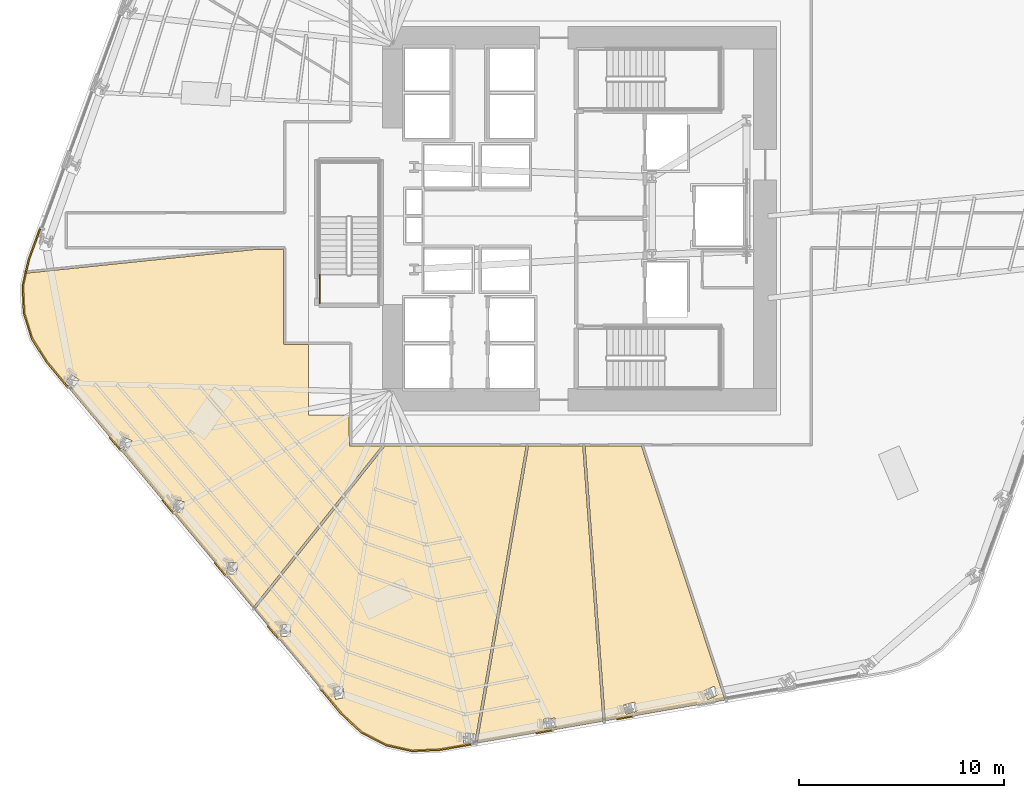
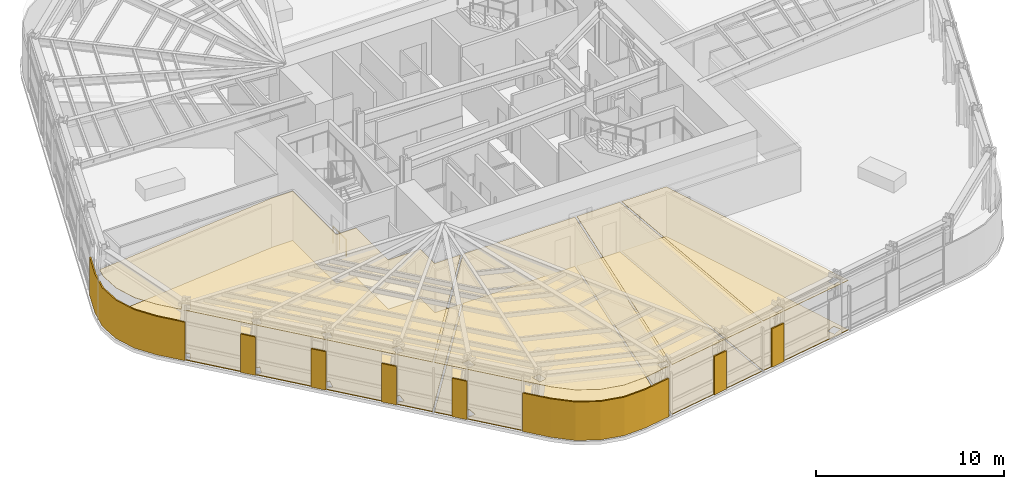
# One storey, part 10 of 16: 16 coverings, 1 railing.
"""IFC4 building model written with IfcOpenShell, lengths in metres."""

import ifcopenshell
import ifcopenshell.guid

model = None  # the IFC model being written
_history = None  # IfcOwnerHistory: only IFC2X3 demands one
_inside = {}  # id of a spatial element -> (the spatial element, [elements in it])
_under = {}  # id of a project, library or spatial element -> (it, [spatial elements below it])
_declared = {}  # id of a project -> (the project, [libraries it declares])
_typed = {}  # id of a type object -> (the type object, [elements of that type])
_made_of = {}  # id of a material, layer set ... -> (it, [elements and type objects made of it])


def new_model(schema):
    """Start an empty IFC model of exactly this schema.

    Asked for "IFC4X3", IfcOpenShell would pick the latest addendum, in which some entities
    have other attributes; the version numbers below select the first issue.
    IFC2X3 requires an IfcOwnerHistory on every rooted entity: one is made here for all.
    """
    global model, _history
    if schema == "IFC4X3":
        model = ifcopenshell.file(schema_version=(4, 3, 0, 0))
    else:
        model = ifcopenshell.file(schema=schema)
    _inside.clear()
    _under.clear()
    _declared.clear()
    _typed.clear()
    _made_of.clear()
    _history = None
    if model.schema == "IFC2X3":
        org = make("IfcOrganization", Name="unknown")
        user = make(
            "IfcPersonAndOrganization",
            ThePerson=make("IfcPerson", FamilyName="unknown"),
            TheOrganization=org,
        )
        app = make(
            "IfcApplication",
            ApplicationDeveloper=org,
            Version="unknown",
            ApplicationFullName="unknown",
            ApplicationIdentifier="unknown",
        )
        _history = make(
            "IfcOwnerHistory",
            OwningUser=user,
            OwningApplication=app,
            ChangeAction="ADDED",
            CreationDate=0,
        )
    return model


def make(cls, **values):
    """One entity of the class cls with the attributes given. An attribute that is None is left unset."""
    return model.create_entity(
        cls, **{name: value for name, value in values.items() if value is not None}
    )


def rooted(cls, **values):
    """An entity with a GlobalId (a new one), such as an element, a storey or a relation."""
    return make(cls, GlobalId=ifcopenshell.guid.new(), OwnerHistory=_history, **values)


def si_unit(unit_type, name, prefix=None):
    """IfcSIUnit, for example si_unit("LENGTHUNIT", "METRE", prefix="MILLI")."""
    return make("IfcSIUnit", UnitType=unit_type, Prefix=prefix, Name=name)


def assignment(units):
    """IfcUnitAssignment: the units of a project."""
    return None if units is None else make("IfcUnitAssignment", Units=units)


def point(xyz):
    """IfcCartesianPoint."""
    return None if xyz is None else make("IfcCartesianPoint", Coordinates=xyz)


def direction(xyz):
    """IfcDirection."""
    return None if xyz is None else make("IfcDirection", DirectionRatios=xyz)


def frame(location, z_axis=None, x_axis=None):
    """IfcAxis2Placement3D, a coordinate frame: its origin and axes. An axis left out is left unset."""
    return make(
        "IfcAxis2Placement3D",
        Location=point(location),
        Axis=direction(z_axis),
        RefDirection=direction(x_axis),
    )


def frame_2d(location, x_axis=None):
    """IfcAxis2Placement2D, a coordinate frame in the plane: its origin and x axis."""
    return make(
        "IfcAxis2Placement2D", Location=point(location), RefDirection=direction(x_axis)
    )


def origin():
    """The frame at (0, 0, 0) with its axes left unset."""
    return frame((0.0, 0.0, 0.0))


def origin_2d():
    """The frame at (0, 0) in the plane with its x axis left unset."""
    return frame_2d((0.0, 0.0))


def place(relative_to, where):
    """IfcLocalPlacement: puts the frame where relative to a parent placement (None: the world)."""
    return make(
        "IfcLocalPlacement", PlacementRelTo=relative_to, RelativePlacement=where
    )


def context(
    kind, dimensions, precision=None, world=None, true_north=None, identifier=None
):
    """IfcGeometricRepresentationContext, for example the 3D "Model" context."""
    return make(
        "IfcGeometricRepresentationContext",
        ContextIdentifier=identifier,
        ContextType=kind,
        CoordinateSpaceDimension=dimensions,
        Precision=precision,
        WorldCoordinateSystem=world,
        TrueNorth=true_north,
    )


def subcontext(parent, identifier, kind, view, scale=None):
    """IfcGeometricRepresentationSubContext, for example "Body" below "Model"."""
    return make(
        "IfcGeometricRepresentationSubContext",
        ContextIdentifier=identifier,
        ContextType=kind,
        ParentContext=parent,
        TargetScale=scale,
        TargetView=view,
    )


def project(units=None, contexts=None):
    """IfcProject with its units and contexts."""
    return rooted(
        "IfcProject",
        Name="project",
        RepresentationContexts=contexts,
        UnitsInContext=assignment(units),
    )


def spatial(cls, under=None, at=None, **own):
    """A site, building, storey or space (cls), placed at a placement, below another one or the project."""
    s = rooted(cls, ObjectPlacement=at, **own)
    if under is not None:
        _under.setdefault(under.id(), (under, []))[1].append(s)
    return s


def polyline(points):
    """IfcPolyline through the points."""
    return make("IfcPolyline", Points=[point(p) for p in points])


def profile(cls, at=None, kind="AREA", **sizes):
    """A parametric profile (cls). Its sizes go by their IFC names, for example OverallWidth=200.0."""
    return make(cls, ProfileType=kind, Position=at, **sizes)


def circle(**sizes):
    """IfcCircleProfileDef."""
    return profile("IfcCircleProfileDef", **sizes)


def outline(outer, holes=None, kind="AREA"):
    """IfcArbitraryClosedProfileDef: a profile drawn as a closed curve; with holes, ...WithVoids."""
    if holes is None:
        return make("IfcArbitraryClosedProfileDef", ProfileType=kind, OuterCurve=outer)
    return make(
        "IfcArbitraryProfileDefWithVoids",
        ProfileType=kind,
        OuterCurve=outer,
        InnerCurves=holes,
    )


def extrude(swept, where, along, depth):
    """IfcExtrudedAreaSolid: the profile swept, set in the frame where, extruded along a direction by depth."""
    return make(
        "IfcExtrudedAreaSolid",
        SweptArea=swept,
        Position=where,
        ExtrudedDirection=direction(along),
        Depth=depth,
    )


def shape(context_of_items, identifier, shape_type, items):
    """IfcShapeRepresentation: the items that make up one representation, for example the "Body"."""
    return make(
        "IfcShapeRepresentation",
        ContextOfItems=context_of_items,
        RepresentationIdentifier=identifier,
        RepresentationType=shape_type,
        Items=items,
    )


def material(Name=None, Category=None):
    """IfcMaterial."""
    return make("IfcMaterial", Name=Name, Category=Category)


def layer(
    of_material, thickness, ventilated=None, Name=None, Category=None, Priority=None
):
    """IfcMaterialLayer: one layer of a wall or slab, of a material (None: an air gap)."""
    return make(
        "IfcMaterialLayer",
        Material=of_material,
        LayerThickness=thickness,
        IsVentilated=ventilated,
        Name=Name,
        Category=Category,
        Priority=Priority,
    )


def layer_set(layers, Name=None):
    """IfcMaterialLayerSet."""
    return make("IfcMaterialLayerSet", MaterialLayers=layers, LayerSetName=Name)


def made_of(thing, what):
    """Note that an element or type object is made of a material, layer set ...; save() writes the relation."""
    if what is not None:
        _made_of.setdefault(what.id(), (what, []))[1].append(thing)
    return thing


def type_object(cls, material=None, **own):
    """A type object (cls), such as IfcWallType, which elements share."""
    return made_of(rooted(cls, **own), material)


def element(
    cls,
    number,
    at=None,
    inside=None,
    cuts=None,
    type_object=None,
    material=None,
    context=None,
    identifier="Body",
    shape_type=None,
    held_by="IfcProductDefinitionShape",
    body=None,
    shapes=None,
    **own,
):
    """One element of the class cls, such as IfcWall. Its Tag is "e" and its number.

    at: its placement. inside: the storey or other place that contains it. cuts: it is an
    opening in that element (IfcRelVoidsElement). A single representation is given by context,
    identifier, shape_type and body (its items); several are given by shapes. held_by: the class
    of the entity that holds the representations. save() writes the other relations.
    """
    e = rooted(cls, Tag="e%d" % number, ObjectPlacement=at, **own)
    if body is not None:
        shapes = [shape(context, identifier, shape_type, body)]
    if shapes is not None:
        e.Representation = make(held_by, Representations=shapes)
    if inside is not None:
        _inside.setdefault(inside.id(), (inside, []))[1].append(e)
    if cuts is not None:
        rooted(
            "IfcRelVoidsElement", RelatingBuildingElement=cuts, RelatedOpeningElement=e
        )
    if type_object is not None:
        _typed.setdefault(type_object.id(), (type_object, []))[1].append(e)
    return made_of(e, material)


def aggregate(whole, parts):
    """IfcRelAggregates: a whole, such as a stair, and the parts it consists of."""
    return rooted("IfcRelAggregates", RelatingObject=whole, RelatedObjects=parts)


def save(model, path):
    """Write the relations noted so far, then the file.

    IfcRelAggregates (storeys below a building ...), IfcRelContainedInSpatialStructure (elements
    in a storey), IfcRelDefinesByType, IfcRelAssociatesMaterial and IfcRelDeclares: one each for
    every whole, place, type object, material and project.
    """
    for whole, parts in _under.values():
        aggregate(whole, parts)
    for where, things in _inside.values():
        rooted(
            "IfcRelContainedInSpatialStructure",
            RelatedElements=things,
            RelatingStructure=where,
        )
    for kind, things in _typed.values():
        rooted("IfcRelDefinesByType", RelatedObjects=things, RelatingType=kind)
    for what, things in _made_of.values():
        rooted("IfcRelAssociatesMaterial", RelatedObjects=things, RelatingMaterial=what)
    for by, libraries in _declared.values():
        rooted("IfcRelDeclares", RelatingContext=by, RelatedDefinitions=libraries)
    model.write(path)


model = new_model("IFC4")

# Units and contexts
model_context = context("Model", 3, precision=1e-05, world=origin(), true_north=direction((0.0, 1.0)))
body_context = subcontext(model_context, "Body", "Model", "MODEL_VIEW")
ifc_project = project(units=[si_unit("LENGTHUNIT", "METRE"), si_unit("AREAUNIT", "SQUARE_METRE"), si_unit("VOLUMEUNIT", "CUBIC_METRE"), si_unit("PLANEANGLEUNIT", "RADIAN"), si_unit("MASSUNIT", "GRAM", prefix="KILO")], contexts=[model_context])

# Site, building, storey
site_placement = place(None, origin())
site = spatial("IfcSite", under=ifc_project, at=site_placement, CompositionType="ELEMENT")
building_placement = place(site_placement, origin())
building = spatial("IfcBuilding", under=site, at=building_placement, Name="Valkerne Bourse Tower", CompositionType="ELEMENT")
storey_placement = place(building_placement, frame((0.0, 0.0, 65.800048828125)))
storey = spatial("IfcBuildingStorey", under=building, at=storey_placement, Name="L16", CompositionType="ELEMENT", Elevation=65.800048828125)

# Coverings
ifc_material_1 = material(Name="Mineral Fiber Acoustic Ceiling Tile", Category="acoustic")
ifc_layer_1 = layer(ifc_material_1, 0.02490234375)
ifc_layer_set_1 = layer_set([ifc_layer_1], Name="Mineral Fiber Acoustic Ceiling Tile")
covering_type_1 = type_object("IfcCoveringType", Name="COV-CEIL-ACT", PredefinedType="CEILING", material=ifc_layer_set_1)
covering_1_placement = place(storey_placement, frame((0.0, 0.0, 3.22998046875)))
element("IfcCovering", 1, at=covering_1_placement, inside=storey, type_object=covering_type_1, Name="L16 Suspended Ceiling 03", PredefinedType="CEILING", context=body_context, shape_type="SweptSolid", body=[
    extrude(outline(polyline([(49.826416015625, 15.781005859375), (53.8955078125, 3.40478515625), (48.066162109375, 2.392822265625), (47.0830078125, 15.781005859375), (49.826416015625, 15.781005859375)]), holes=[polyline([(49.081787109375, 2.718994140625), (49.615478515625, 2.86767578125), (49.493408203125, 3.30859375), (49.489990234375, 3.308349609375), (48.956298828125, 3.159912109375), (49.078369140625, 2.71875), (49.081787109375, 2.718994140625)]), polyline([(53.06005859375, 3.429443359375), (53.56201171875, 3.663818359375), (53.368896484375, 4.07861328125), (53.365478515625, 4.077880859375), (52.863525390625, 3.84326171875), (53.056640625, 3.428466796875), (53.06005859375, 3.429443359375)])]), origin(), (0.0, 0.0, 1.0), 0.02490234375),
])
covering_2_placement = place(storey_placement, frame((0.0, 0.0, 3.22998046875)))
element("IfcCovering", 2, at=covering_2_placement, inside=storey, type_object=covering_type_1, Name="L16 Suspended Ceiling 04", PredefinedType="CEILING", context=body_context, shape_type="SweptSolid", body=[
    extrude(outline(polyline([(46.964599609375, 15.781005859375), (47.949462890625, 2.37255859375), (41.822265625, 1.308837890625), (44.322021484375, 15.781005859375), (46.964599609375, 15.781005859375)]), holes=[polyline([(45.611328125, 2.531494140625), (45.60791015625, 2.53173828125), (45.057373046875, 2.47119140625), (45.106689453125, 2.01611328125), (45.1103515625, 2.01611328125), (45.660888671875, 2.07666015625), (45.611328125, 2.531494140625)])]), origin(), (0.0, 0.0, 1.0), 0.02490234375),
])
covering_3_placement = place(storey_placement, frame((0.0, 0.0, 3.22998046875)))
element("IfcCovering", 3, at=covering_3_placement, inside=storey, type_object=covering_type_1, Name="L16 Suspended Ceiling 06", PredefinedType="CEILING", context=body_context, shape_type="SweptSolid", body=[
    extrude(outline(polyline([(37.366455078125, 1.2216796875), (36.197021484375, 1.8330078125), (35.21875, 2.732666015625), (30.9638671875, 7.81201171875), (37.322998046875, 15.781005859375), (44.202392578125, 15.781005859375), (41.701416015625, 1.302001953125), (41.719970703125, 1.751220703125), (41.71630859375, 1.751953125), (41.163330078125, 1.77392578125), (41.144287109375, 1.31689453125), (41.14794921875, 1.316162109375), (41.699951171875, 1.294189453125), (41.69873046875, 1.287353515625), (39.982177734375, 0.989501953125), (38.654296875, 0.93359375), (37.366455078125, 1.2216796875)]), holes=[polyline([(35.24560546875, 4.082763671875), (35.2421875, 4.08447265625), (34.7978515625, 3.98193359375), (34.919677734375, 3.440185546875), (34.9228515625, 3.4384765625), (35.3671875, 3.541015625), (35.24560546875, 4.082763671875)]), polyline([(32.6875, 7.085693359375), (32.6845703125, 7.087890625), (32.229736328125, 7.052978515625), (32.269287109375, 6.498779296875), (32.272216796875, 6.496826171875), (32.72705078125, 6.53173828125), (32.6875, 7.085693359375)])]), origin(), (0.0, 0.0, 1.0), 0.02490234375),
])
covering_4_placement = place(storey_placement, frame((0.0, 0.0, 3.22998046875)))
element("IfcCovering", 4, at=covering_4_placement, inside=storey, type_object=covering_type_1, Name="L16 Suspended Ceiling 07", PredefinedType="CEILING", context=body_context, shape_type="SweptSolid", body=[
    extrude(outline(polyline([(19.735595703125, 22.276611328125), (19.680419921875, 23.594970703125), (19.818115234375, 24.21142578125), (31.123291015625, 25.381103515625), (32.381103515625, 25.381103515625), (32.381103515625, 20.799560546875), (32.3876953125, 20.77001953125), (32.4140625, 20.740966796875), (32.449462890625, 20.73095703125), (33.60009765625, 20.73095703125), (33.60009765625, 17.300048828125), (35.58349609375, 17.300048828125), (35.584716796875, 15.8271484375), (35.609130859375, 15.794189453125), (35.646484375, 15.781005859375), (37.172119140625, 15.781005859375), (30.88671875, 7.904296875), (21.801513671875, 18.75), (22.1064453125, 18.558349609375), (22.40478515625, 19.02685546875), (22.403564453125, 19.030517578125), (22.017333984375, 19.27294921875), (21.735107421875, 18.829345703125), (20.84228515625, 19.895263671875), (20.1298828125, 21.017333984375), (19.735595703125, 22.276611328125)]), holes=[polyline([(30.127685546875, 10.079345703125), (30.125244140625, 10.081787109375), (29.670654296875, 10.120361328125), (29.62109375, 9.567138671875), (29.623291015625, 9.564697265625), (30.078125, 9.52587890625), (30.127685546875, 10.079345703125)]), polyline([(27.5625, 13.064697265625), (27.560302734375, 13.0673828125), (27.118408203125, 13.1806640625), (26.97802734375, 12.643310546875), (26.97998046875, 12.640380859375), (27.422119140625, 12.52734375), (27.5625, 13.064697265625)]), polyline([(24.98681640625, 16.049072265625), (24.56884765625, 16.231689453125), (24.34375, 15.72412109375), (24.34521484375, 15.720703125), (24.76318359375, 15.5380859375), (24.98828125, 16.0458984375), (24.98681640625, 16.049072265625)])]), origin(), (0.0, 0.0, 1.0), 0.02490234375),
])
ifc_material_2 = material(Name="Bronze Anodised Aluminium AA 6063-T6", Category="aluminium")
ifc_layer_2 = layer(ifc_material_2, 0.06005859375)
ifc_layer_set_2 = layer_set([ifc_layer_2], Name="Bronze Anodised Aluminium AA 6063-T6")
covering_type_2 = type_object("IfcCoveringType", Name="COV-CRN-ALUM", PredefinedType="CLADDING", material=ifc_layer_set_2)
covering_5_placement = place(storey_placement, origin())
element("IfcCovering", 5, at=covering_5_placement, inside=storey, type_object=covering_type_2, Name="L16 Wind-Shaped Corner Aluminium Cladding 04", PredefinedType="CLADDING", context=body_context, shape_type="SweptSolid", body=[
    extrude(outline(polyline([(48.630859375, 2.446044921875), (48.616943359375, 2.52490234375), (49.444580078125, 2.668701171875), (49.45849609375, 2.58984375), (48.630859375, 2.446044921875)])), origin(), (0.0, 0.0, 1.0), 2.5),
])
covering_6_placement = place(storey_placement, origin())
element("IfcCovering", 6, at=covering_6_placement, inside=storey, type_object=covering_type_2, Name="L16 Wind-Shaped Corner Aluminium Cladding 05", PredefinedType="CLADDING", context=body_context, shape_type="SweptSolid", body=[
    extrude(outline(polyline([(44.693603515625, 1.7626953125), (44.679931640625, 1.841552734375), (45.507568359375, 1.985107421875), (45.521240234375, 1.90625), (44.693603515625, 1.7626953125)])), origin(), (0.0, 0.0, 1.0), 2.5),
])
covering_7_placement = place(storey_placement, origin())
element("IfcCovering", 7, at=covering_7_placement, inside=storey, type_object=covering_type_2, Name="L16 Wind-Shaped Corner Aluminium Cladding 06", PredefinedType="CLADDING", context=body_context, shape_type="SweptSolid", body=[
    extrude(outline(polyline([(39.98681640625, 0.945556640625), (38.650390625, 0.889404296875), (37.351318359375, 1.179931640625), (36.17138671875, 1.796630859375), (35.186767578125, 2.7021484375), (34.145751953125, 3.94482421875), (34.20703125, 3.99609375), (35.244873046875, 2.757568359375), (36.218017578125, 1.862548828125), (37.37890625, 1.255615234375), (38.657470703125, 0.9697265625), (39.978515625, 1.025390625), (41.5703125, 1.301513671875), (41.584228515625, 1.222900390625), (39.98681640625, 0.945556640625)])), origin(), (0.0, 0.0, 1.0), 2.5),
])
covering_8_placement = place(storey_placement, origin())
element("IfcCovering", 8, at=covering_8_placement, inside=storey, type_object=covering_type_2, Name="L16 Wind-Shaped Corner Aluminium Cladding 07", PredefinedType="CLADDING", context=body_context, shape_type="SweptSolid", body=[
    extrude(outline(polyline([(31.579833984375, 7.00830078125), (31.64111328125, 7.0595703125), (32.180419921875, 6.41552734375), (32.119140625, 6.3642578125), (31.579833984375, 7.00830078125)])), origin(), (0.0, 0.0, 1.0), 2.5),
])
covering_9_placement = place(storey_placement, origin())
element("IfcCovering", 9, at=covering_9_placement, inside=storey, type_object=covering_type_2, Name="L16 Wind-Shaped Corner Aluminium Cladding 08", PredefinedType="CLADDING", context=body_context, shape_type="SweptSolid", body=[
    extrude(outline(polyline([(29.013671875, 10.071533203125), (29.0751953125, 10.122802734375), (29.614501953125, 9.47900390625), (29.552978515625, 9.427490234375), (29.013671875, 10.071533203125)])), origin(), (0.0, 0.0, 1.0), 2.5),
])
covering_10_placement = place(storey_placement, origin())
element("IfcCovering", 10, at=covering_10_placement, inside=storey, type_object=covering_type_2, Name="L16 Wind-Shaped Corner Aluminium Cladding 09", PredefinedType="CLADDING", context=body_context, shape_type="SweptSolid", body=[
    extrude(outline(polyline([(26.44775390625, 13.134765625), (26.50927734375, 13.18603515625), (27.048583984375, 12.5419921875), (26.9873046875, 12.49072265625), (26.44775390625, 13.134765625)])), origin(), (0.0, 0.0, 1.0), 2.5),
])
covering_11_placement = place(storey_placement, origin())
element("IfcCovering", 11, at=covering_11_placement, inside=storey, type_object=covering_type_2, Name="L16 Wind-Shaped Corner Aluminium Cladding 10", PredefinedType="CLADDING", context=body_context, shape_type="SweptSolid", body=[
    extrude(outline(polyline([(23.8818359375, 16.197998046875), (23.943115234375, 16.249267578125), (24.482666015625, 15.60546875), (24.421142578125, 15.55419921875), (23.8818359375, 16.197998046875)])), origin(), (0.0, 0.0, 1.0), 2.5),
])
covering_12_placement = place(storey_placement, origin())
element("IfcCovering", 12, at=covering_12_placement, inside=storey, type_object=covering_type_2, Name="L16 Wind-Shaped Corner Aluminium Cladding 11", PredefinedType="CLADDING", context=body_context, shape_type="SweptSolid", body=[
    extrude(outline(polyline([(20.806640625, 19.869140625), (20.08984375, 20.998779296875), (19.69189453125, 22.268798828125), (19.635986328125, 23.598876953125), (19.927978515625, 24.904296875), (20.490478515625, 26.437255859375), (20.5654296875, 26.409912109375), (20.0048828125, 24.881591796875), (19.71630859375, 23.591796875), (19.771240234375, 22.28271484375), (20.1630859375, 21.03271484375), (20.871337890625, 19.91650390625), (21.91650390625, 18.668701171875), (21.855224609375, 18.617431640625), (20.806640625, 19.869140625)])), origin(), (0.0, 0.0, 1.0), 2.5),
])
ifc_material_3 = material(Name="Galvanised Painted Steel", Category="steel")
ifc_layer_3 = layer(ifc_material_3, 0.044921875)
ifc_layer_set_3 = layer_set([ifc_layer_3], Name="Galvanised Painted Steel")
covering_type_3 = type_object("IfcCoveringType", Name="COV-FLR-RAF", PredefinedType="FLOORING", material=ifc_layer_set_3)
covering_13_placement = place(storey_placement, origin())
element("IfcCovering", 13, at=covering_13_placement, inside=storey, type_object=covering_type_3, Name="L16 Floor Finish 06", PredefinedType="FLOORING", context=body_context, shape_type="SweptSolid", body=[
    extrude(outline(polyline([(37.366455078125, 1.2216796875), (36.197021484375, 1.8330078125), (35.21875, 2.732666015625), (30.9638671875, 7.81201171875), (37.322998046875, 15.781005859375), (44.202392578125, 15.781005859375), (41.701416015625, 1.302001953125), (41.719970703125, 1.751220703125), (41.71630859375, 1.751953125), (41.163330078125, 1.77392578125), (41.144287109375, 1.31689453125), (41.14794921875, 1.316162109375), (41.699951171875, 1.294189453125), (41.69873046875, 1.287353515625), (39.982177734375, 0.989501953125), (38.654296875, 0.93359375), (37.366455078125, 1.2216796875)]), holes=[polyline([(35.24560546875, 4.082763671875), (35.2421875, 4.08447265625), (34.7978515625, 3.98193359375), (34.919677734375, 3.440185546875), (34.9228515625, 3.4384765625), (35.3671875, 3.541015625), (35.24560546875, 4.082763671875)]), polyline([(32.6875, 7.085693359375), (32.6845703125, 7.087890625), (32.229736328125, 7.052978515625), (32.269287109375, 6.498779296875), (32.272216796875, 6.496826171875), (32.72705078125, 6.53173828125), (32.6875, 7.085693359375)])]), origin(), (0.0, 0.0, 1.0), 0.044921875),
])
covering_14_placement = place(storey_placement, origin())
element("IfcCovering", 14, at=covering_14_placement, inside=storey, type_object=covering_type_3, Name="L16 Floor Finish 07", PredefinedType="FLOORING", context=body_context, shape_type="SweptSolid", body=[
    extrude(outline(polyline([(19.735595703125, 22.276611328125), (19.680419921875, 23.594970703125), (19.818115234375, 24.21142578125), (31.123291015625, 25.381103515625), (32.381103515625, 25.381103515625), (32.381103515625, 20.799560546875), (32.3876953125, 20.77001953125), (32.4140625, 20.740966796875), (32.449462890625, 20.73095703125), (33.60009765625, 20.73095703125), (33.60009765625, 17.300048828125), (35.58349609375, 17.300048828125), (35.584716796875, 15.8271484375), (35.609130859375, 15.794189453125), (35.646484375, 15.781005859375), (37.172119140625, 15.781005859375), (30.88671875, 7.904296875), (21.801513671875, 18.75), (22.1064453125, 18.558349609375), (22.40478515625, 19.02685546875), (22.403564453125, 19.030517578125), (22.017333984375, 19.27294921875), (21.735107421875, 18.829345703125), (20.84228515625, 19.895263671875), (20.1298828125, 21.017333984375), (19.735595703125, 22.276611328125)]), holes=[polyline([(30.127685546875, 10.079345703125), (30.125244140625, 10.081787109375), (29.670654296875, 10.120361328125), (29.62109375, 9.567138671875), (29.623291015625, 9.564697265625), (30.078125, 9.52587890625), (30.127685546875, 10.079345703125)]), polyline([(27.5625, 13.064697265625), (27.560302734375, 13.0673828125), (27.118408203125, 13.1806640625), (26.97802734375, 12.643310546875), (26.97998046875, 12.640380859375), (27.422119140625, 12.52734375), (27.5625, 13.064697265625)]), polyline([(24.98681640625, 16.049072265625), (24.56884765625, 16.231689453125), (24.34375, 15.72412109375), (24.34521484375, 15.720703125), (24.76318359375, 15.5380859375), (24.98828125, 16.0458984375), (24.98681640625, 16.049072265625)])]), origin(), (0.0, 0.0, 1.0), 0.044921875),
])
ifc_material_4 = material(Name="Polished Granite Stone", Category="masonry")
ifc_layer_4 = layer(ifc_material_4, 0.030029296875)
ifc_layer_set_4 = layer_set([ifc_layer_4], Name="Polished Granite Stone")
covering_type_4 = type_object("IfcCoveringType", Name="COV-FLR-TERRAZZO", PredefinedType="FLOORING", material=ifc_layer_set_4)
covering_15_placement = place(storey_placement, origin())
element("IfcCovering", 15, at=covering_15_placement, inside=storey, type_object=covering_type_4, Name="L16 Floor Finish 03", PredefinedType="FLOORING", context=body_context, shape_type="SweptSolid", body=[
    extrude(outline(polyline([(49.826416015625, 15.781005859375), (53.8955078125, 3.40478515625), (48.066162109375, 2.392822265625), (47.0830078125, 15.781005859375), (49.826416015625, 15.781005859375)]), holes=[polyline([(49.081787109375, 2.718994140625), (49.615478515625, 2.86767578125), (49.493408203125, 3.30859375), (49.489990234375, 3.308349609375), (48.956298828125, 3.159912109375), (49.078369140625, 2.71875), (49.081787109375, 2.718994140625)]), polyline([(53.06005859375, 3.429443359375), (53.56201171875, 3.663818359375), (53.368896484375, 4.07861328125), (53.365478515625, 4.077880859375), (52.863525390625, 3.84326171875), (53.056640625, 3.428466796875), (53.06005859375, 3.429443359375)])]), origin(), (0.0, 0.0, 1.0), 0.030029296875),
])
covering_16_placement = place(storey_placement, origin())
element("IfcCovering", 16, at=covering_16_placement, inside=storey, type_object=covering_type_4, Name="L16 Floor Finish 04", PredefinedType="FLOORING", context=body_context, shape_type="SweptSolid", body=[
    extrude(outline(polyline([(46.964599609375, 15.781005859375), (47.949462890625, 2.37255859375), (41.822265625, 1.308837890625), (44.322021484375, 15.781005859375), (46.964599609375, 15.781005859375)]), holes=[polyline([(45.611328125, 2.531494140625), (45.60791015625, 2.53173828125), (45.057373046875, 2.47119140625), (45.106689453125, 2.01611328125), (45.1103515625, 2.01611328125), (45.660888671875, 2.07666015625), (45.611328125, 2.531494140625)])]), origin(), (0.0, 0.0, 1.0), 0.030029296875),
])

# Railing
railing_type = type_object("IfcRailingType", Name="RLG-ST-GUARD-1120", PredefinedType="GUARDRAIL", material=ifc_material_3)
railing_placement = place(storey_placement, frame((34.14990234375, 22.75, 0.0)))
element("IfcRailing", 17, at=railing_placement, inside=storey, type_object=railing_type, Name="L16 ST-3 stair guard 9", PredefinedType="GUARDRAIL", context=body_context, shape_type="SweptSolid", body=[
    extrude(circle(Radius=0.02392578125, at=origin_2d()), frame((0.0, 0.0, 1.09619140625), z_axis=(0.0, 1.0, 0.0), x_axis=(-1.0, 0.0, 0.0)), (0.0, 0.0, 1.0), 1.39990234375),
    extrude(circle(Radius=0.02099609375, at=origin_2d()), origin(), (0.0, 0.0, 1.0), 1.072021484375),
    extrude(circle(Radius=0.02099609375, at=origin_2d()), frame((0.0, 0.699951171875, 0.0)), (0.0, 0.0, 1.0), 1.072021484375),
    extrude(circle(Radius=0.02099609375, at=origin_2d()), frame((0.0, 1.39990234375, 0.0)), (0.0, 0.0, 1.0), 1.072021484375),
])

save(model, "model.ifc")
